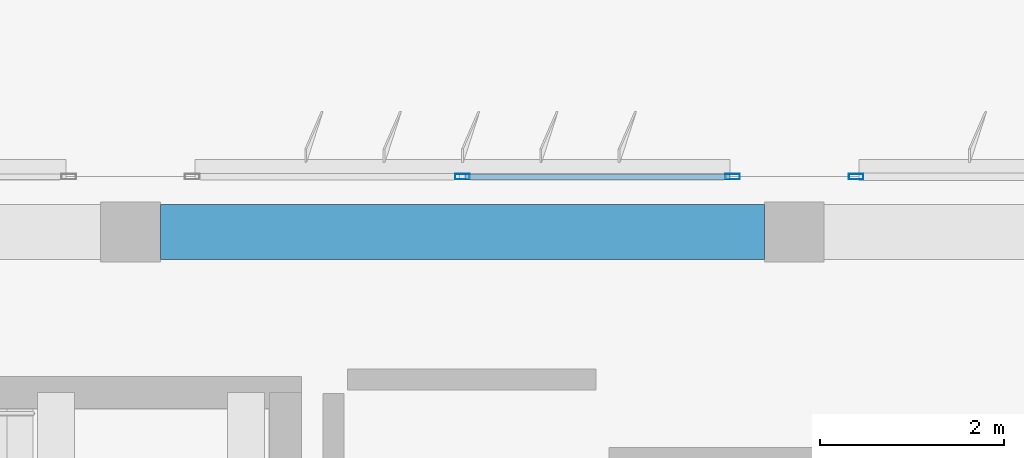
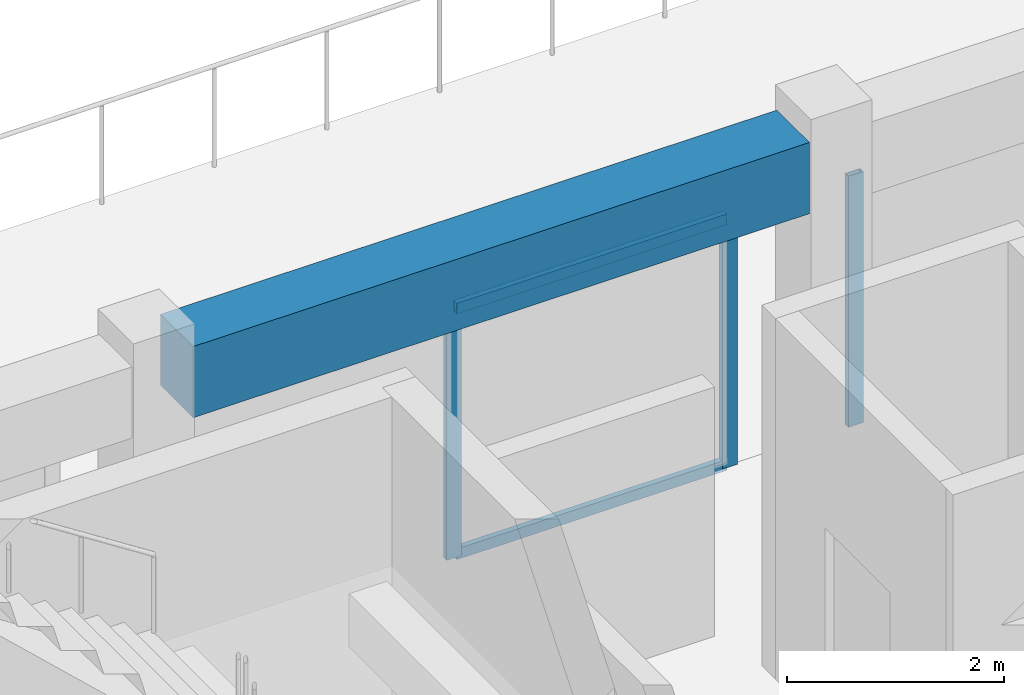
# One storey, part 12 of 42: 5 members, 1 beam, 2 elements without a shape of their own.
"""IFC4 building model written with IfcOpenShell, lengths in metres."""

from ifc_helpers import new_model, si_unit, direction, frame, origin, origin_2d, place, context, subcontext, project, spatial, rectangle, hollow_rectangle, extrude, material, material_profile, profile_set, type_object, element, aggregate, save


model = new_model("IFC4")

# Units and contexts
model_context = context("Model", 3, precision=1e-05, world=origin(), true_north=direction((0.0, 1.0)))
body_context = subcontext(model_context, "Body", "Model", "MODEL_VIEW")
ifc_project = project(units=[si_unit("LENGTHUNIT", "METRE"), si_unit("AREAUNIT", "SQUARE_METRE"), si_unit("VOLUMEUNIT", "CUBIC_METRE"), si_unit("PLANEANGLEUNIT", "RADIAN"), si_unit("MASSUNIT", "GRAM", prefix="KILO")], contexts=[model_context])

# Site, building, storey
site_placement = place(None, origin())
site = spatial("IfcSite", under=ifc_project, at=site_placement, CompositionType="ELEMENT")
building_placement = place(site_placement, origin())
building = spatial("IfcBuilding", under=site, at=building_placement, Name="Kazehaya Institute of Natural Sciences", CompositionType="ELEMENT")
storey_placement = place(building_placement, frame((0.0, 0.0, 37.6201171875)))
storey = spatial("IfcBuildingStorey", under=building, at=storey_placement, Name="L08", CompositionType="ELEMENT", Elevation=37.6201171875)

# Beam
ifc_material_1 = material(Name="Concrete Fc36", Category="concrete")
ifc_material_profile_1 = material_profile(ifc_material_1, rectangle(XDim=0.60009765625, YDim=0.800048828125, at=origin_2d()), Name="RC-600x800")
ifc_profile_set_1 = profile_set([ifc_material_profile_1], Name="Concrete Fc36")
beam_type = type_object("IfcBeamType", Name="BM-G-600x800", PredefinedType="BEAM", material=ifc_profile_set_1)
beam_placement = place(storey_placement, frame((69.324951171875, 28.39990234375, 3.64990234375), z_axis=(1.0, 0.0, 0.0), x_axis=(0.0, 1.0, 0.0)))
element("IfcBeam", 1, at=beam_placement, inside=storey, type_object=beam_type, Name="L08 primary X girder BMX-L08-690-284", PredefinedType="BEAM", context=body_context, shape_type="SweptSolid", body=[
    extrude(rectangle(XDim=0.60009765625, YDim=0.800048828125, at=origin_2d()), origin(), (0.0, 0.0, 1.0), 6.550048828125),
])

# Curtain wall, members
ifc_material_2 = material(Name="Aluminium alloy A6063S-T5", Category="aluminium")
curtain_wall_type = type_object("IfcCurtainWallType", Name="CW-SYS-05", PredefinedType="NOTDEFINED", material=ifc_material_2)
curtain_wall_1_placement = place(storey_placement, origin())
curtain_wall_1 = element("IfcCurtainWall", 2, at=curtain_wall_1_placement, inside=storey, type_object=curtain_wall_type, Name="L08 unitised curtain wall CW-L08-187", PredefinedType="NOTDEFINED")
ifc_material_profile_2 = material_profile(ifc_material_2, hollow_rectangle(XDim=0.06005859375, YDim=0.159912109375, WallThickness=0.00390625, at=origin_2d()), Name="ALU-60x160x4")
ifc_profile_set_2 = profile_set([ifc_material_profile_2], Name="Aluminium alloy A6063S-T5")
member_type_1 = type_object("IfcMemberType", Name="CWM-160", PredefinedType="MULLION", material=ifc_profile_set_2)
member_1_placement = place(storey_placement, frame((72.60009765625, 29.0, 0.0), z_axis=(0.0, 0.0, 1.0), x_axis=(0.0, 1.0, 0.0)))
member_1 = element("IfcMember", 3, at=member_1_placement, type_object=member_type_1, Name="CW05 mullion 2", PredefinedType="MULLION", context=body_context, shape_type="SweptSolid", body=[
    extrude(hollow_rectangle(XDim=0.06005859375, YDim=0.159912109375, WallThickness=0.00390625, at=origin_2d()), origin(), (0.0, 0.0, 1.0), 2.81982421875),
])
member_2_placement = place(storey_placement, frame((75.530029296875, 29.0, 0.0), z_axis=(0.0, 0.0, 1.0), x_axis=(0.0, 1.0, 0.0)))
member_2 = element("IfcMember", 4, at=member_2_placement, type_object=member_type_1, Name="CW05 mullion 3", PredefinedType="MULLION", context=body_context, shape_type="SweptSolid", body=[
    extrude(hollow_rectangle(XDim=0.06005859375, YDim=0.159912109375, WallThickness=0.00390625, at=origin_2d()), origin(), (0.0, 0.0, 1.0), 2.81982421875),
])

# Curtain wall, member
curtain_wall_2_placement = place(storey_placement, origin())
curtain_wall_2 = element("IfcCurtainWall", 5, at=curtain_wall_2_placement, inside=storey, type_object=curtain_wall_type, Name="L08 unitised curtain wall CW-L08-188", PredefinedType="NOTDEFINED")
member_3_placement = place(storey_placement, frame((76.8701171875, 29.0, 0.0), z_axis=(0.0, 0.0, 1.0), x_axis=(0.0, 1.0, 0.0)))
member_3 = element("IfcMember", 6, at=member_3_placement, type_object=member_type_1, Name="CW05 mullion 1", PredefinedType="MULLION", context=body_context, shape_type="SweptSolid", body=[
    extrude(hollow_rectangle(XDim=0.06005859375, YDim=0.159912109375, WallThickness=0.00390625, at=origin_2d()), origin(), (0.0, 0.0, 1.0), 2.81982421875),
])
aggregate(curtain_wall_2, [member_3])

# Member
ifc_material_profile_3 = material_profile(ifc_material_2, hollow_rectangle(XDim=0.06005859375, YDim=0.1201171875, WallThickness=0.00341796875, at=origin_2d()), Name="ALU-60x120x3.5")
ifc_profile_set_3 = profile_set([ifc_material_profile_3], Name="Aluminium alloy A6063S-T5")
member_type_2 = type_object("IfcMemberType", Name="CWT-120", PredefinedType="USERDEFINED", material=ifc_profile_set_3)
member_4_placement = place(storey_placement, frame((72.6298828125, 29.0, 0.02978515625), z_axis=(1.0, 0.0, 0.0), x_axis=(0.0, 1.0, 0.0)))
member_4 = element("IfcMember", 7, at=member_4_placement, type_object=member_type_2, Name="CW05 transom 2.1", ObjectType="TRANSOM", PredefinedType="USERDEFINED", context=body_context, shape_type="SweptSolid", body=[
    extrude(hollow_rectangle(XDim=0.06005859375, YDim=0.1201171875, WallThickness=0.00341796875, at=origin_2d()), origin(), (0.0, 0.0, 1.0), 2.8701171875),
])

member_5_placement = place(storey_placement, frame((72.6298828125, 29.0, 2.789794921875), z_axis=(1.0, 0.0, 0.0), x_axis=(0.0, 1.0, 0.0)))
member_5 = element("IfcMember", 8, at=member_5_placement, type_object=member_type_2, Name="CW05 transom 2.2", ObjectType="TRANSOM", PredefinedType="USERDEFINED", context=body_context, shape_type="SweptSolid", body=[
    extrude(hollow_rectangle(XDim=0.06005859375, YDim=0.1201171875, WallThickness=0.00341796875, at=origin_2d()), origin(), (0.0, 0.0, 1.0), 2.8701171875),
])

aggregate(curtain_wall_1, [member_1, member_2, member_4, member_5])

save(model, "model.ifc")
